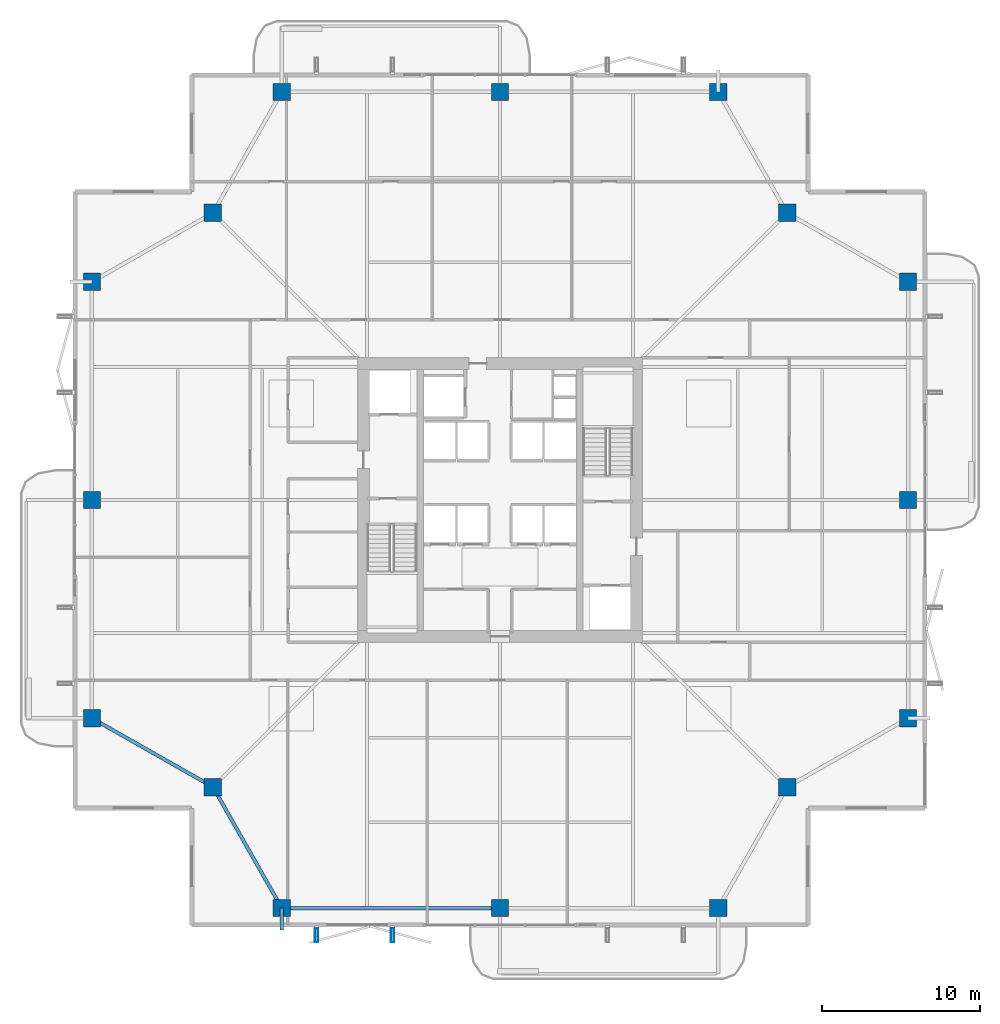
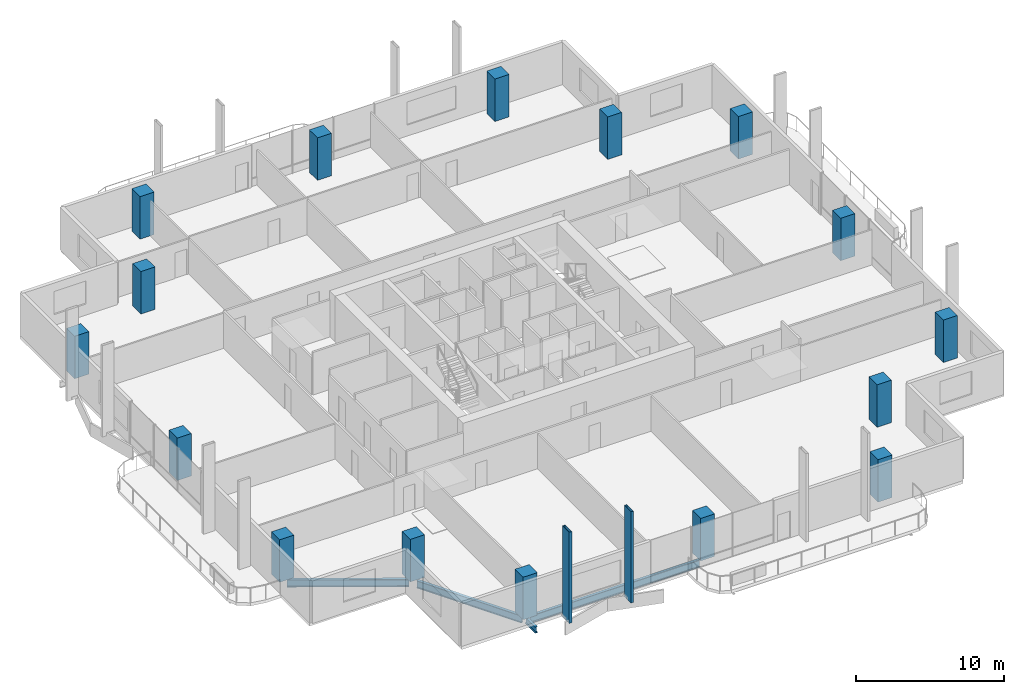
# One storey, part 1 of 24: 16 columns, 4 beams, 2 members.
"""IFC4 building model written with IfcOpenShell, lengths in metres."""

import ifcopenshell
import ifcopenshell.guid

model = None  # the IFC model being written
_history = None  # IfcOwnerHistory: only IFC2X3 demands one
_inside = {}  # id of a spatial element -> (the spatial element, [elements in it])
_under = {}  # id of a project, library or spatial element -> (it, [spatial elements below it])
_declared = {}  # id of a project -> (the project, [libraries it declares])
_typed = {}  # id of a type object -> (the type object, [elements of that type])
_made_of = {}  # id of a material, layer set ... -> (it, [elements and type objects made of it])


def new_model(schema):
    """Start an empty IFC model of exactly this schema.

    Asked for "IFC4X3", IfcOpenShell would pick the latest addendum, in which some entities
    have other attributes; the version numbers below select the first issue.
    IFC2X3 requires an IfcOwnerHistory on every rooted entity: one is made here for all.
    """
    global model, _history
    if schema == "IFC4X3":
        model = ifcopenshell.file(schema_version=(4, 3, 0, 0))
    else:
        model = ifcopenshell.file(schema=schema)
    _inside.clear()
    _under.clear()
    _declared.clear()
    _typed.clear()
    _made_of.clear()
    _history = None
    if model.schema == "IFC2X3":
        org = make("IfcOrganization", Name="unknown")
        user = make(
            "IfcPersonAndOrganization",
            ThePerson=make("IfcPerson", FamilyName="unknown"),
            TheOrganization=org,
        )
        app = make(
            "IfcApplication",
            ApplicationDeveloper=org,
            Version="unknown",
            ApplicationFullName="unknown",
            ApplicationIdentifier="unknown",
        )
        _history = make(
            "IfcOwnerHistory",
            OwningUser=user,
            OwningApplication=app,
            ChangeAction="ADDED",
            CreationDate=0,
        )
    return model


def make(cls, **values):
    """One entity of the class cls with the attributes given. An attribute that is None is left unset."""
    return model.create_entity(
        cls, **{name: value for name, value in values.items() if value is not None}
    )


def rooted(cls, **values):
    """An entity with a GlobalId (a new one), such as an element, a storey or a relation."""
    return make(cls, GlobalId=ifcopenshell.guid.new(), OwnerHistory=_history, **values)


def si_unit(unit_type, name, prefix=None):
    """IfcSIUnit, for example si_unit("LENGTHUNIT", "METRE", prefix="MILLI")."""
    return make("IfcSIUnit", UnitType=unit_type, Prefix=prefix, Name=name)


def assignment(units):
    """IfcUnitAssignment: the units of a project."""
    return None if units is None else make("IfcUnitAssignment", Units=units)


def point(xyz):
    """IfcCartesianPoint."""
    return None if xyz is None else make("IfcCartesianPoint", Coordinates=xyz)


def direction(xyz):
    """IfcDirection."""
    return None if xyz is None else make("IfcDirection", DirectionRatios=xyz)


def frame(location, z_axis=None, x_axis=None):
    """IfcAxis2Placement3D, a coordinate frame: its origin and axes. An axis left out is left unset."""
    return make(
        "IfcAxis2Placement3D",
        Location=point(location),
        Axis=direction(z_axis),
        RefDirection=direction(x_axis),
    )


def frame_2d(location, x_axis=None):
    """IfcAxis2Placement2D, a coordinate frame in the plane: its origin and x axis."""
    return make(
        "IfcAxis2Placement2D", Location=point(location), RefDirection=direction(x_axis)
    )


def origin():
    """The frame at (0, 0, 0) with its axes left unset."""
    return frame((0.0, 0.0, 0.0))


def origin_2d():
    """The frame at (0, 0) in the plane with its x axis left unset."""
    return frame_2d((0.0, 0.0))


def place(relative_to, where):
    """IfcLocalPlacement: puts the frame where relative to a parent placement (None: the world)."""
    return make(
        "IfcLocalPlacement", PlacementRelTo=relative_to, RelativePlacement=where
    )


def context(
    kind, dimensions, precision=None, world=None, true_north=None, identifier=None
):
    """IfcGeometricRepresentationContext, for example the 3D "Model" context."""
    return make(
        "IfcGeometricRepresentationContext",
        ContextIdentifier=identifier,
        ContextType=kind,
        CoordinateSpaceDimension=dimensions,
        Precision=precision,
        WorldCoordinateSystem=world,
        TrueNorth=true_north,
    )


def subcontext(parent, identifier, kind, view, scale=None):
    """IfcGeometricRepresentationSubContext, for example "Body" below "Model"."""
    return make(
        "IfcGeometricRepresentationSubContext",
        ContextIdentifier=identifier,
        ContextType=kind,
        ParentContext=parent,
        TargetScale=scale,
        TargetView=view,
    )


def project(units=None, contexts=None):
    """IfcProject with its units and contexts."""
    return rooted(
        "IfcProject",
        Name="project",
        RepresentationContexts=contexts,
        UnitsInContext=assignment(units),
    )


def spatial(cls, under=None, at=None, **own):
    """A site, building, storey or space (cls), placed at a placement, below another one or the project."""
    s = rooted(cls, ObjectPlacement=at, **own)
    if under is not None:
        _under.setdefault(under.id(), (under, []))[1].append(s)
    return s


def profile(cls, at=None, kind="AREA", **sizes):
    """A parametric profile (cls). Its sizes go by their IFC names, for example OverallWidth=200.0."""
    return make(cls, ProfileType=kind, Position=at, **sizes)


def rectangle(**sizes):
    """IfcRectangleProfileDef."""
    return profile("IfcRectangleProfileDef", **sizes)


def hollow_rectangle(**sizes):
    """IfcRectangleHollowProfileDef."""
    return profile("IfcRectangleHollowProfileDef", **sizes)


def i_section(**sizes):
    """IfcIShapeProfileDef."""
    return profile("IfcIShapeProfileDef", **sizes)


def extrude(swept, where, along, depth):
    """IfcExtrudedAreaSolid: the profile swept, set in the frame where, extruded along a direction by depth."""
    return make(
        "IfcExtrudedAreaSolid",
        SweptArea=swept,
        Position=where,
        ExtrudedDirection=direction(along),
        Depth=depth,
    )


def shape(context_of_items, identifier, shape_type, items):
    """IfcShapeRepresentation: the items that make up one representation, for example the "Body"."""
    return make(
        "IfcShapeRepresentation",
        ContextOfItems=context_of_items,
        RepresentationIdentifier=identifier,
        RepresentationType=shape_type,
        Items=items,
    )


def material(Name=None, Category=None):
    """IfcMaterial."""
    return make("IfcMaterial", Name=Name, Category=Category)


def material_profile(
    of_material, cross_section, Name=None, Category=None, Priority=None
):
    """IfcMaterialProfile: a cross section and its material."""
    return make(
        "IfcMaterialProfile",
        Name=Name,
        Material=of_material,
        Profile=cross_section,
        Priority=Priority,
        Category=Category,
    )


def profile_set(profiles, Name=None, composite=None):
    """IfcMaterialProfileSet."""
    return make(
        "IfcMaterialProfileSet",
        Name=Name,
        MaterialProfiles=profiles,
        CompositeProfile=composite,
    )


def made_of(thing, what):
    """Note that an element or type object is made of a material, layer set ...; save() writes the relation."""
    if what is not None:
        _made_of.setdefault(what.id(), (what, []))[1].append(thing)
    return thing


def type_object(cls, material=None, **own):
    """A type object (cls), such as IfcWallType, which elements share."""
    return made_of(rooted(cls, **own), material)


def element(
    cls,
    number,
    at=None,
    inside=None,
    cuts=None,
    type_object=None,
    material=None,
    context=None,
    identifier="Body",
    shape_type=None,
    held_by="IfcProductDefinitionShape",
    body=None,
    shapes=None,
    **own,
):
    """One element of the class cls, such as IfcWall. Its Tag is "e" and its number.

    at: its placement. inside: the storey or other place that contains it. cuts: it is an
    opening in that element (IfcRelVoidsElement). A single representation is given by context,
    identifier, shape_type and body (its items); several are given by shapes. held_by: the class
    of the entity that holds the representations. save() writes the other relations.
    """
    e = rooted(cls, Tag="e%d" % number, ObjectPlacement=at, **own)
    if body is not None:
        shapes = [shape(context, identifier, shape_type, body)]
    if shapes is not None:
        e.Representation = make(held_by, Representations=shapes)
    if inside is not None:
        _inside.setdefault(inside.id(), (inside, []))[1].append(e)
    if cuts is not None:
        rooted(
            "IfcRelVoidsElement", RelatingBuildingElement=cuts, RelatedOpeningElement=e
        )
    if type_object is not None:
        _typed.setdefault(type_object.id(), (type_object, []))[1].append(e)
    return made_of(e, material)


def aggregate(whole, parts):
    """IfcRelAggregates: a whole, such as a stair, and the parts it consists of."""
    return rooted("IfcRelAggregates", RelatingObject=whole, RelatedObjects=parts)


def save(model, path):
    """Write the relations noted so far, then the file.

    IfcRelAggregates (storeys below a building ...), IfcRelContainedInSpatialStructure (elements
    in a storey), IfcRelDefinesByType, IfcRelAssociatesMaterial and IfcRelDeclares: one each for
    every whole, place, type object, material and project.
    """
    for whole, parts in _under.values():
        aggregate(whole, parts)
    for where, things in _inside.values():
        rooted(
            "IfcRelContainedInSpatialStructure",
            RelatedElements=things,
            RelatingStructure=where,
        )
    for kind, things in _typed.values():
        rooted("IfcRelDefinesByType", RelatedObjects=things, RelatingType=kind)
    for what, things in _made_of.values():
        rooted("IfcRelAssociatesMaterial", RelatedObjects=things, RelatingMaterial=what)
    for by, libraries in _declared.values():
        rooted("IfcRelDeclares", RelatingContext=by, RelatedDefinitions=libraries)
    model.write(path)


model = new_model("IFC4")

# Units and contexts
model_context = context("Model", 3, precision=1e-05, world=origin(), true_north=direction((0.0, 1.0)))
body_context = subcontext(model_context, "Body", "Model", "MODEL_VIEW")
ifc_project = project(units=[si_unit("LENGTHUNIT", "METRE"), si_unit("AREAUNIT", "SQUARE_METRE"), si_unit("VOLUMEUNIT", "CUBIC_METRE"), si_unit("PLANEANGLEUNIT", "RADIAN"), si_unit("MASSUNIT", "GRAM", prefix="KILO")], contexts=[model_context])

# Site, building, storey
site_placement = place(None, origin())
site = spatial("IfcSite", under=ifc_project, at=site_placement, CompositionType="ELEMENT")
building_placement = place(site_placement, origin())
building = spatial("IfcBuilding", under=site, at=building_placement, Name="Belovzor Exchange Tower", CompositionType="ELEMENT")
storey_placement = place(building_placement, frame((0.0, 0.0, 203.699951171875)))
storey = spatial("IfcBuildingStorey", under=building, at=storey_placement, Name="L50", CompositionType="ELEMENT", Elevation=203.699951171875)

# Columns
ifc_material_1 = material(Name="Concrete C50/60", Category="concrete")
ifc_material_profile_1 = material_profile(ifc_material_1, rectangle(XDim=1.10009765625, YDim=1.10009765625, at=origin_2d()))
ifc_profile_set_1 = profile_set([ifc_material_profile_1], Name="Concrete C50/60")
column_type = type_object("IfcColumnType", Name="Reinforced Concrete Tower Column 1100x1100", PredefinedType="COLUMN", material=ifc_profile_set_1)
for number, where, z_axis, x_axis, name in (
    (1, (15.0, 3.0, 0.0029296875), (0.0, 0.0, 1.0), (1.0, 0.0, 0.0), "COL-T110 Reinforced Concrete Tower Column 1100x1100"),
    (2, (28.800048828125, 3.0, 0.0029296875), (0.0, 0.0, 1.0), (1.0, 0.0, 0.0), "COL-T110 Reinforced Concrete Tower Column 1100x1100"),
    (3, (42.60009765625, 3.0, 0.0029296875), (0.0, 0.0, 1.0), (1.0, 0.0, 0.0), "COL-T110 Reinforced Concrete Tower Column 1100x1100"),
    (4, (54.60009765625, 15.0, 0.0029296875), (0.0, 0.0, 1.0), (1.0, 0.0, 0.0), "COL-T110 Reinforced Concrete Tower Column 1100x1100"),
    (5, (54.60009765625, 28.800048828125, 0.0029296875), (0.0, 0.0, 1.0), (1.0, 0.0, 0.0), "COL-T110 Reinforced Concrete Tower Column 1100x1100"),
    (6, (54.60009765625, 42.60009765625, 0.0029296875), (0.0, 0.0, 1.0), (1.0, 0.0, 0.0), "COL-T110 Reinforced Concrete Tower Column 1100x1100"),
    (7, (42.60009765625, 54.60009765625, 0.0029296875), (0.0, 0.0, 1.0), (1.0, 0.0, 0.0), "COL-T110 Reinforced Concrete Tower Column 1100x1100"),
    (8, (28.800048828125, 54.60009765625, 0.0029296875), (0.0, 0.0, 1.0), (1.0, 0.0, 0.0), "COL-T110 Reinforced Concrete Tower Column 1100x1100"),
    (9, (15.0, 54.60009765625, 0.0029296875), (0.0, 0.0, 1.0), (1.0, 0.0, 0.0), "COL-T110 Reinforced Concrete Tower Column 1100x1100"),
    (10, (3.0, 42.60009765625, 0.0029296875), (0.0, 0.0, 1.0), (1.0, 0.0, 0.0), "COL-T110 Reinforced Concrete Tower Column 1100x1100"),
    (11, (3.0, 28.800048828125, 0.0029296875), (0.0, 0.0, 1.0), (1.0, 0.0, 0.0), "COL-T110 Reinforced Concrete Tower Column 1100x1100"),
    (12, (3.0, 15.0, 0.0029296875), (0.0, 0.0, 1.0), (1.0, 0.0, 0.0), "COL-T110 Reinforced Concrete Tower Column 1100x1100"),
    (13, (10.64990234375, 10.64990234375, 0.0029296875), (0.0, 0.0, 1.0), (1.0, 0.0, 0.0), "COL-T110 Reinforced Concrete Tower Column 1100x1100"),
    (14, (46.949951171875, 10.64990234375, 0.0029296875), (0.0, 0.0, 1.0), (1.0, 0.0, 0.0), "COL-T110 Reinforced Concrete Tower Column 1100x1100"),
    (15, (46.949951171875, 46.949951171875, 0.0029296875), (0.0, 0.0, 1.0), (1.0, 0.0, 0.0), "COL-T110 Reinforced Concrete Tower Column 1100x1100"),
    (16, (10.64990234375, 46.949951171875, 0.0029296875), (0.0, 0.0, 1.0), (1.0, 0.0, 0.0), "COL-T110 Reinforced Concrete Tower Column 1100x1100"),
):
    element("IfcColumn", number, at=place(storey_placement, frame(where, z_axis=z_axis, x_axis=x_axis)), inside=storey, type_object=column_type, Name=name, PredefinedType="COLUMN", context=body_context, shape_type="SweptSolid", body=[
        extrude(rectangle(XDim=1.10009765625, YDim=1.10009765625, at=origin_2d()), origin(), (0.0, 0.0, 1.0), 3.494140625),
    ])

# Beam
ifc_material_2 = material(Name="Steel S355", Category="steel")
ifc_material_profile_2 = material_profile(ifc_material_2, i_section(OverallWidth=0.199951171875, OverallDepth=0.5, WebThickness=0.01025390625, FlangeThickness=0.01611328125, at=origin_2d()))
ifc_profile_set_2 = profile_set([ifc_material_profile_2], Name="Steel S355")
beam_type_1 = type_object("IfcBeamType", Name="Planted Balcony Cantilever Beam IPE 500", PredefinedType="BEAM", material=ifc_profile_set_2)
beam_1_placement = place(storey_placement, frame((15.0, 3.0, -0.5), z_axis=(0.0, -1.0, 0.0), x_axis=(1.0, 0.0, 0.0)))
element("IfcBeam", 17, at=beam_1_placement, inside=storey, type_object=beam_type_1, Name="BC-500 Planted Balcony Cantilever Beam IPE 500", PredefinedType="BEAM", context=body_context, shape_type="SweptSolid", body=[
    extrude(i_section(OverallWidth=0.199951171875, OverallDepth=0.5, WebThickness=0.01025390625, FlangeThickness=0.01611328125, at=origin_2d()), origin(), (0.0, 0.0, 1.0), 1.39990234375),
])

# Members
ifc_material_3 = material(Name="Extruded Architectural Terracotta on Steel S355 Carrier", Category="masonry")
ifc_material_profile_3 = material_profile(ifc_material_3, hollow_rectangle(XDim=0.199951171875, YDim=0.89990234375, WallThickness=0.011962890625, at=origin_2d()))
ifc_profile_set_3 = profile_set([ifc_material_profile_3], Name="Extruded Architectural Terracotta on Steel S355 Carrier")
member_type = type_object("IfcMemberType", Name="Sweeping Terracotta Baguette Fin Assembly 950", PredefinedType="USERDEFINED", material=ifc_profile_set_3)
for number, where, z_axis, x_axis, name in (
    (18, (17.199951171875, 1.27490234375, -0.25), (0.0, 0.0, 1.0), (1.0, 0.0, 0.0), "FIN-TC095 Terracotta Facade Fin L50 S1"),
    (19, (22.0, 1.27490234375, -0.25), (0.0, 0.0, 1.0), (1.0, 0.0, 0.0), "FIN-TC095 Terracotta Facade Fin L50 S2"),
):
    element("IfcMember", number, at=place(storey_placement, frame(where, z_axis=z_axis, x_axis=x_axis)), inside=storey, type_object=member_type, Name=name, ObjectType="FIN", PredefinedType="USERDEFINED", context=body_context, shape_type="SweptSolid", body=[
        extrude(hollow_rectangle(XDim=0.199951171875, YDim=0.89990234375, WallThickness=0.011962890625, at=origin_2d()), origin(), (0.0, 0.0, 1.0), 7.5),
    ])

# Beams
ifc_material_4 = material(Name="Steel S355", Category="steel")
ifc_material_profile_4 = material_profile(ifc_material_4, i_section(OverallWidth=0.219970703125, OverallDepth=0.60009765625, WebThickness=0.011962890625, FlangeThickness=0.01904296875, at=origin_2d()))
ifc_profile_set_4 = profile_set([ifc_material_profile_4], Name="Steel S355")
beam_type_2 = type_object("IfcBeamType", Name="Zone 4 Flare Primary Girder IPE 600", PredefinedType="BEAM", material=ifc_profile_set_4)
beam_2_placement = place(storey_placement, frame((10.800048828125, 10.386962890625, -0.550048828125), z_axis=(0.494222323641, -0.869335547884, 0.0), x_axis=(0.869335547884, 0.494222323641, 0.0)))
element("IfcBeam", 20, at=beam_2_placement, inside=storey, type_object=beam_type_2, Name="FG-Z4 Zone 4 Flare Primary Girder IPE 600", PredefinedType="BEAM", context=body_context, shape_type="SweptSolid", body=[
    extrude(i_section(OverallWidth=0.219970703125, OverallDepth=0.60009765625, WebThickness=0.011962890625, FlangeThickness=0.01904296875, at=origin_2d()), origin(), (0.0, 0.0, 1.0), 8.19482421875),
])
beam_3_placement = place(storey_placement, frame((15.302978515625, 3.0, -0.550048828125), z_axis=(1.0, 0.0, 0.0), x_axis=(0.0, 1.0, 0.0)))
element("IfcBeam", 21, at=beam_3_placement, inside=storey, type_object=beam_type_2, Name="FG-Z4 Zone 4 Flare Primary Girder IPE 600", PredefinedType="BEAM", context=body_context, shape_type="SweptSolid", body=[
    extrude(i_section(OverallWidth=0.219970703125, OverallDepth=0.60009765625, WebThickness=0.011962890625, FlangeThickness=0.01904296875, at=origin_2d()), origin(), (0.0, 0.0, 1.0), 13.195068359375),
])
beam_4_placement = place(storey_placement, frame((3.262939453125, 14.85009765625, -0.550048828125), z_axis=(0.869335547884, -0.494222323641, 0.0), x_axis=(0.494222323641, 0.869335547884, 0.0)))
element("IfcBeam", 22, at=beam_4_placement, inside=storey, type_object=beam_type_2, Name="FG-Z4 Zone 4 Flare Primary Girder IPE 600", PredefinedType="BEAM", context=body_context, shape_type="SweptSolid", body=[
    extrude(i_section(OverallWidth=0.219970703125, OverallDepth=0.60009765625, WebThickness=0.011962890625, FlangeThickness=0.01904296875, at=origin_2d()), origin(), (0.0, 0.0, 1.0), 8.19482421875),
])

save(model, "model.ifc")
